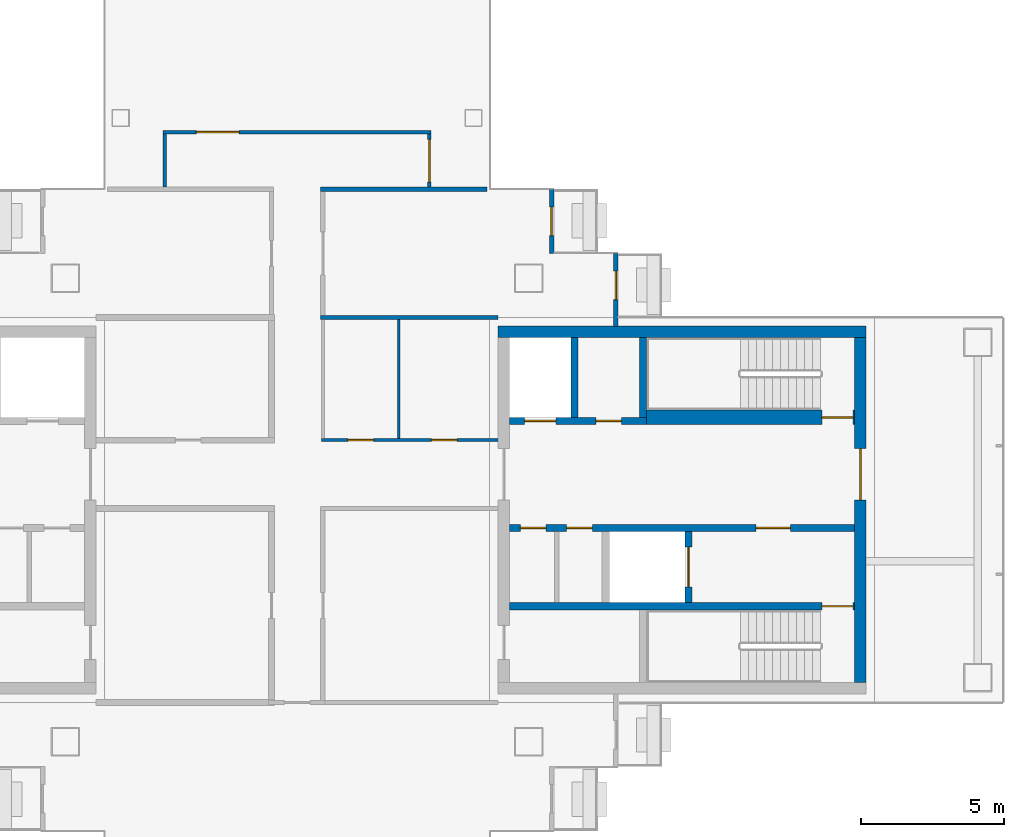
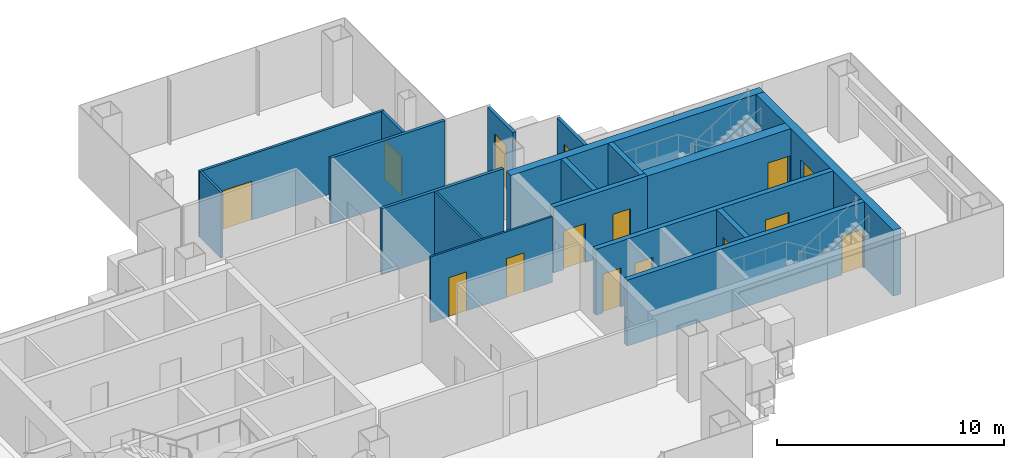
# One storey, part 12 of 17: 18 walls, 15 doors, 15 openings.
"""IFC4 building model written with IfcOpenShell, lengths in metres."""

from ifc_helpers import new_model, si_unit, direction, frame, frame_2d, origin, place, context, subcontext, project, spatial, rectangle, extrude, material, layer, layer_set, type_object, element, fill, save


model = new_model("IFC4")

# Units and contexts
model_context = context("Model", 3, precision=1e-05, world=origin(), true_north=direction((0.0, 1.0)))
body_context = subcontext(model_context, "Body", "Model", "MODEL_VIEW")
ifc_project = project(units=[si_unit("LENGTHUNIT", "METRE"), si_unit("AREAUNIT", "SQUARE_METRE"), si_unit("VOLUMEUNIT", "CUBIC_METRE"), si_unit("PLANEANGLEUNIT", "RADIAN"), si_unit("MASSUNIT", "GRAM", prefix="KILO")], contexts=[model_context])

# Site, building, storey
site_placement = place(None, origin())
site = spatial("IfcSite", under=ifc_project, at=site_placement, CompositionType="ELEMENT")
building_placement = place(site_placement, origin())
building = spatial("IfcBuilding", under=site, at=building_placement, Name="Shamsa Quay Exchange Towers", CompositionType="ELEMENT")
storey_placement = place(building_placement, frame((0.0, 0.0, 194.39990234375)))
storey = spatial("IfcBuildingStorey", under=building, at=storey_placement, Name="L46", CompositionType="ELEMENT", Elevation=194.39990234375)

# Wall, opening, door
ifc_material_1 = material(Name="Aluminium EN AW-6063 T6, black anodised, with black enamelled glass infill", Category="aluminium")
ifc_layer_1 = layer(ifc_material_1, 0.14990234375)
ifc_layer_set_1 = layer_set([ifc_layer_1], Name="BALCONY DOOR BAY WALL 150")
wall_type_1 = type_object("IfcWallType", Name="BALCONY DOOR BAY WALL 150", PredefinedType="SOLIDWALL", material=ifc_layer_set_1)
wall_1_placement = place(storey_placement, frame((42.675048828125, 11.25, 0.0), z_axis=(0.0, 0.0, 1.0), x_axis=(0.0, -1.0, 0.0)))
wall_1 = element("IfcWall", 1, at=wall_1_placement, inside=storey, type_object=wall_type_1, Name="Door bay T2-PKES L46", PredefinedType="SOLIDWALL", context=body_context, shape_type="SweptSolid", body=[
    extrude(rectangle(XDim=2.25, YDim=0.14990234375, at=frame_2d((1.125, 0.0))), origin(), (0.0, 0.0, 1.0), 3.4501953125),
])
opening_1_placement = place(wall_1_placement, frame((0.625, 0.0, 0.0)))
opening_1 = element("IfcOpeningElement", 2, at=opening_1_placement, cuts=wall_1, Name="Opening XD299", PredefinedType="OPENING", context=body_context, shape_type="SweptSolid", body=[
    extrude(rectangle(XDim=1.0, YDim=2.39990234375, at=frame_2d((0.5, 1.199951171875))), frame((0.0, 0.0849609375, 0.0), z_axis=(0.0, -1.0, 0.0), x_axis=(1.0, 0.0, 0.0)), (0.0, 0.0, 1.0), 0.169921875),
])
ifc_material_2 = material(Name="Aluminium EN AW-6063 T6, black anodised, with laminated glass leaf", Category="aluminium")
door_type_1 = type_object("IfcDoorType", Name="BALCONY DOOR 1000x2400", OperationType="SINGLE_SWING_LEFT", PredefinedType="DOOR", material=ifc_material_2)
door_1_placement = place(opening_1_placement, origin())
door_1 = element("IfcDoor", 3, at=door_1_placement, inside=storey, type_object=door_type_1, Name="Balcony door T2-PKES L46", OperationType="SINGLE_SWING_RIGHT", OverallHeight=2.39990234375, OverallWidth=1.0, PredefinedType="DOOR", context=body_context, shape_type="SweptSolid", body=[
    extrude(rectangle(XDim=1.0, YDim=2.39990234375, at=frame_2d((0.5, 1.199951171875))), frame((0.0, 0.02490234375, 0.0), z_axis=(0.0, -1.0, 0.0), x_axis=(1.0, 0.0, 0.0)), (0.0, 0.0, 1.0), 0.050048828125),
])
fill(opening_1, door_1)

wall_2_placement = place(storey_placement, frame((44.925048828125, 9.0, 0.0), z_axis=(0.0, 0.0, 1.0), x_axis=(0.0, -1.0, 0.0)))
wall_2 = element("IfcWall", 4, at=wall_2_placement, inside=storey, type_object=wall_type_1, Name="Door bay T2-PKES L46", PredefinedType="SOLIDWALL", context=body_context, shape_type="SweptSolid", body=[
    extrude(rectangle(XDim=2.556884765625, YDim=0.14990234375, at=frame_2d((1.2783203125, 0.0))), origin(), (0.0, 0.0, 1.0), 3.4501953125),
])
opening_2_placement = place(wall_2_placement, frame((0.625, 0.0, 0.0)))
opening_2 = element("IfcOpeningElement", 5, at=opening_2_placement, cuts=wall_2, Name="Opening XD300", PredefinedType="OPENING", context=body_context, shape_type="SweptSolid", body=[
    extrude(rectangle(XDim=1.0, YDim=2.39990234375, at=frame_2d((0.5, 1.199951171875))), frame((0.0, 0.0849609375, 0.0), z_axis=(0.0, -1.0, 0.0), x_axis=(1.0, 0.0, 0.0)), (0.0, 0.0, 1.0), 0.169921875),
])
door_2_placement = place(opening_2_placement, origin())
door_2 = element("IfcDoor", 6, at=door_2_placement, inside=storey, type_object=door_type_1, Name="Balcony door T2-PKES L46", OperationType="SINGLE_SWING_LEFT", OverallHeight=2.39990234375, OverallWidth=1.0, PredefinedType="DOOR", context=body_context, shape_type="SweptSolid", body=[
    extrude(rectangle(XDim=1.0, YDim=2.39990234375, at=frame_2d((0.5, 1.199951171875))), frame((0.0, 0.02490234375, 0.0), z_axis=(0.0, -1.0, 0.0), x_axis=(1.0, 0.0, 0.0)), (0.0, 0.0, 1.0), 0.050048828125),
])
fill(opening_2, door_2)

# Wall
ifc_material_3 = material(Name="Concrete C60/75", Category="concrete")
ifc_layer_2 = layer(ifc_material_3, 0.39990234375)
ifc_layer_set_2 = layer_set([ifc_layer_2], Name="CORE WALL 400 C60/75")
wall_type_2 = type_object("IfcWallType", Name="CORE WALL 400 C60/75", PredefinedType="SHEAR", material=ifc_layer_set_2)
wall_3_placement = place(storey_placement, frame((53.699951171875, 6.25, 0.0), z_axis=(0.0, 0.0, 1.0), x_axis=(-1.0, 0.0, 0.0)))
element("IfcWall", 7, at=wall_3_placement, inside=storey, type_object=wall_type_2, Name="Core wall T2B-R21-PN", PredefinedType="SHEAR", context=body_context, shape_type="SweptSolid", body=[
    extrude(rectangle(XDim=12.89990234375, YDim=0.39990234375, at=frame_2d((6.449951171875, 0.0))), origin(), (0.0, 0.0, 1.0), 3.550048828125),
])

# Wall, opening, door
wall_4_placement = place(storey_placement, frame((53.5, -6.050048828125, 0.0), z_axis=(0.0, 0.0, 1.0), x_axis=(0.0, 1.0, 0.0)))
wall_4 = element("IfcWall", 8, at=wall_4_placement, inside=storey, type_object=wall_type_2, Name="Core wall T2B-R21-PF", PredefinedType="SHEAR", context=body_context, shape_type="SweptSolid", body=[
    extrude(rectangle(XDim=12.10009765625, YDim=0.39990234375, at=frame_2d((6.050048828125, 0.0))), origin(), (0.0, 0.0, 1.0), 3.550048828125),
])
opening_3_placement = place(wall_4_placement, frame((6.39990234375, 0.0, 0.0)))
opening_3 = element("IfcOpeningElement", 9, at=opening_3_placement, cuts=wall_4, Name="Opening T2B-R21-LBD01", PredefinedType="OPENING", context=body_context, shape_type="SweptSolid", body=[
    extrude(rectangle(XDim=1.800048828125, YDim=2.39990234375, at=frame_2d((0.89990234375, 1.199951171875))), frame((0.0, 0.2099609375, 0.0), z_axis=(0.0, -1.0, 0.0), x_axis=(1.0, 0.0, 0.0)), (0.0, 0.0, 1.0), 0.419921875),
])
ifc_material_4 = material(Name="Steel, fire rated", Category="steel")
door_type_2 = type_object("IfcDoorType", Name="LIFT LOBBY DOOR PAIR 1800", OperationType="DOUBLE_DOOR_SINGLE_SWING", PredefinedType="DOOR", material=ifc_material_4)
door_3_placement = place(opening_3_placement, origin())
door_3 = element("IfcDoor", 10, at=door_3_placement, inside=storey, type_object=door_type_2, Name="T2B-R21-LBD01", OperationType="DOUBLE_DOOR_SINGLE_SWING", OverallHeight=2.39990234375, OverallWidth=1.800048828125, PredefinedType="DOOR", context=body_context, shape_type="SweptSolid", body=[
    extrude(rectangle(XDim=1.800048828125, YDim=2.39990234375, at=frame_2d((0.89990234375, 1.199951171875))), frame((0.0, 0.02490234375, 0.0), z_axis=(0.0, -1.0, 0.0), x_axis=(1.0, 0.0, 0.0)), (0.0, 0.0, 1.0), 0.050048828125),
])
fill(opening_3, door_3)

ifc_material_5 = material(Name="Laminated fire-resisting glass in a metal frame", Category="glass")
ifc_layer_3 = layer(ifc_material_5, 0.125)
ifc_layer_set_3 = layer_set([ifc_layer_3], Name="Glazed partition 125 mm EI 60")
wall_type_3 = type_object("IfcWallType", Name="Glazed partition 125 mm EI 60", PredefinedType="PARTITIONING", material=ifc_layer_set_3)
wall_5_placement = place(storey_placement, frame((38.3876953125, 11.324951171875, 0.0), z_axis=(0.0, 0.0, 1.0), x_axis=(0.0, 1.0, 0.0)))
wall_5 = element("IfcWall", 11, at=wall_5_placement, inside=storey, type_object=wall_type_3, Name="Partition T2-R21-W13", PredefinedType="PARTITIONING", context=body_context, shape_type="SweptSolid", body=[
    extrude(rectangle(XDim=1.862548828125, YDim=0.125, at=frame_2d((0.93115234375, 0.0))), origin(), (0.0, 0.0, 1.0), 3.550048828125),
])
opening_4_placement = place(wall_5_placement, frame((0.175048828125, 0.0, 0.0)))
opening_4 = element("IfcOpeningElement", 12, at=opening_4_placement, cuts=wall_5, Name="Opening T2-R21-D03", PredefinedType="OPENING", context=body_context, shape_type="SweptSolid", body=[
    extrude(rectangle(XDim=1.5, YDim=2.10009765625, at=frame_2d((0.75, 1.050048828125))), frame((0.0, 0.072509765625, 0.0), z_axis=(0.0, -1.0, 0.0), x_axis=(1.0, 0.0, 0.0)), (0.0, 0.0, 1.0), 0.14501953125),
])
ifc_material_6 = material(Name="Timber door leaf in a metal frame", Category="wood")
door_type_3 = type_object("IfcDoorType", Name="Door 1500x2100 FD30S pair", OperationType="NOTDEFINED", PredefinedType="DOOR", material=ifc_material_6)
door_4_placement = place(opening_4_placement, origin())
door_4 = element("IfcDoor", 13, at=door_4_placement, inside=storey, type_object=door_type_3, Name="Door T2-R21-D03", OperationType="DOUBLE_DOOR_SINGLE_SWING", OverallHeight=2.10009765625, OverallWidth=1.5, PredefinedType="DOOR", context=body_context, shape_type="SweptSolid", body=[
    extrude(rectangle(XDim=1.5, YDim=2.10009765625, at=frame_2d((0.75, 1.050048828125))), frame((0.0, 0.02490234375, 0.0), z_axis=(0.0, -1.0, 0.0), x_axis=(1.0, 0.0, 0.0)), (0.0, 0.0, 1.0), 0.050048828125),
])
fill(opening_4, door_4)

wall_6_placement = place(storey_placement, frame((38.4501953125, 13.25, 0.0), z_axis=(0.0, 0.0, 1.0), x_axis=(-1.0, 0.0, 0.0)))
wall_6 = element("IfcWall", 14, at=wall_6_placement, inside=storey, type_object=wall_type_3, Name="Partition T2-R21-W14", PredefinedType="PARTITIONING", context=body_context, shape_type="SweptSolid", body=[
    extrude(rectangle(XDim=9.400390625, YDim=0.125, at=frame_2d((4.7001953125, 0.0))), origin(), (0.0, 0.0, 1.0), 3.550048828125),
])
opening_5_placement = place(wall_6_placement, frame((6.73291015625, 0.0, 0.0)))
opening_5 = element("IfcOpeningElement", 15, at=opening_5_placement, cuts=wall_6, Name="Opening T2-R21-D10", PredefinedType="OPENING", context=body_context, shape_type="SweptSolid", body=[
    extrude(rectangle(XDim=1.5, YDim=2.10009765625, at=frame_2d((0.75, 1.050048828125))), frame((0.0, 0.072509765625, 0.0), z_axis=(0.0, -1.0, 0.0), x_axis=(1.0, 0.0, 0.0)), (0.0, 0.0, 1.0), 0.14501953125),
])
door_5_placement = place(opening_5_placement, origin())
door_5 = element("IfcDoor", 16, at=door_5_placement, inside=storey, type_object=door_type_3, Name="Door T2-R21-D10", OperationType="DOUBLE_DOOR_SINGLE_SWING", OverallHeight=2.10009765625, OverallWidth=1.5, PredefinedType="DOOR", context=body_context, shape_type="SweptSolid", body=[
    extrude(rectangle(XDim=1.5, YDim=2.10009765625, at=frame_2d((0.75, 1.050048828125))), frame((0.0, 0.02490234375, 0.0), z_axis=(0.0, -1.0, 0.0), x_axis=(1.0, 0.0, 0.0)), (0.0, 0.0, 1.0), 0.050048828125),
])
fill(opening_5, door_5)

# Wall
wall_7_placement = place(storey_placement, frame((29.1123046875, 13.1875, 0.0), z_axis=(0.0, 0.0, 1.0), x_axis=(0.0, -1.0, 0.0)))
element("IfcWall", 17, at=wall_7_placement, inside=storey, type_object=wall_type_3, Name="Partition T2-R21-W15", PredefinedType="PARTITIONING", context=body_context, shape_type="SweptSolid", body=[
    extrude(rectangle(XDim=1.862548828125, YDim=0.125, at=frame_2d((0.93115234375, 0.0))), origin(), (0.0, 0.0, 1.0), 3.550048828125),
])

# Wall, openings, doors
ifc_material_7 = material(Name="Gypsum board partition on metal studs")
ifc_layer_4 = layer(ifc_material_7, 0.10009765625)
ifc_layer_set_4 = layer_set([ifc_layer_4], Name="Partition 100 mm NOT RATED")
wall_type_4 = type_object("IfcWallType", Name="Partition 100 mm NOT RATED", PredefinedType="PARTITIONING", material=ifc_layer_set_4)
wall_8_placement = place(storey_placement, frame((34.600341796875, 2.4501953125, 0.0)))
wall_8 = element("IfcWall", 18, at=wall_8_placement, inside=storey, type_object=wall_type_4, Name="Partition T2-R21-W05", PredefinedType="PARTITIONING", context=body_context, shape_type="SweptSolid", body=[
    extrude(rectangle(XDim=6.19970703125, YDim=0.10009765625, at=frame_2d((3.099853515625, 0.0))), origin(), (0.0, 0.0, 1.0), 3.550048828125),
])
opening_6_placement = place(wall_8_placement, frame((3.85595703125, 0.0, 0.0)))
opening_6 = element("IfcOpeningElement", 19, at=opening_6_placement, cuts=wall_8, Name="Opening T2-R21-D01", PredefinedType="OPENING", context=body_context, shape_type="SweptSolid", body=[
    extrude(rectangle(XDim=0.89990234375, YDim=2.10009765625, at=frame_2d((0.449951171875, 1.050048828125))), frame((0.0, 0.06005859375, 0.0), z_axis=(0.0, -1.0, 0.0), x_axis=(1.0, 0.0, 0.0)), (0.0, 0.0, 1.0), 0.1201171875),
])
opening_7_placement = place(wall_8_placement, frame((0.93115234375, 0.0, 0.0)))
opening_7 = element("IfcOpeningElement", 20, at=opening_7_placement, cuts=wall_8, Name="Opening T2-R21-D02", PredefinedType="OPENING", context=body_context, shape_type="SweptSolid", body=[
    extrude(rectangle(XDim=0.89990234375, YDim=2.10009765625, at=frame_2d((0.449951171875, 1.050048828125))), frame((0.0, 0.06005859375, 0.0), z_axis=(0.0, -1.0, 0.0), x_axis=(1.0, 0.0, 0.0)), (0.0, 0.0, 1.0), 0.1201171875),
])
door_type_4 = type_object("IfcDoorType", Name="Door 900x2100 NOT RATED", OperationType="NOTDEFINED", PredefinedType="DOOR", material=ifc_material_6)
door_6_placement = place(opening_6_placement, origin())
door_6 = element("IfcDoor", 21, at=door_6_placement, inside=storey, type_object=door_type_4, Name="Door T2-R21-D01", OperationType="SINGLE_SWING_LEFT", OverallHeight=2.10009765625, OverallWidth=0.89990234375, PredefinedType="DOOR", context=body_context, shape_type="SweptSolid", body=[
    extrude(rectangle(XDim=0.89990234375, YDim=2.10009765625, at=frame_2d((0.449951171875, 1.050048828125))), frame((0.0, 0.02490234375, 0.0), z_axis=(0.0, -1.0, 0.0), x_axis=(1.0, 0.0, 0.0)), (0.0, 0.0, 1.0), 0.050048828125),
])
fill(opening_6, door_6)
door_7_placement = place(opening_7_placement, origin())
door_7 = element("IfcDoor", 22, at=door_7_placement, inside=storey, type_object=door_type_4, Name="Door T2-R21-D02", OperationType="SINGLE_SWING_RIGHT", OverallHeight=2.10009765625, OverallWidth=0.89990234375, PredefinedType="DOOR", context=body_context, shape_type="SweptSolid", body=[
    extrude(rectangle(XDim=0.89990234375, YDim=2.10009765625, at=frame_2d((0.449951171875, 1.050048828125))), frame((0.0, 0.02490234375, 0.0), z_axis=(0.0, -1.0, 0.0), x_axis=(1.0, 0.0, 0.0)), (0.0, 0.0, 1.0), 0.050048828125),
])
fill(opening_7, door_7)

# Walls
wall_9_placement = place(storey_placement, frame((37.3125, 6.675048828125, 0.0), z_axis=(0.0, 0.0, 1.0), x_axis=(0.0, -1.0, 0.0)))
element("IfcWall", 23, at=wall_9_placement, inside=storey, type_object=wall_type_4, Name="Partition T2-R21-W19", PredefinedType="PARTITIONING", context=body_context, shape_type="SweptSolid", body=[
    extrude(rectangle(XDim=4.1748046875, YDim=0.10009765625, at=frame_2d((2.08740234375, 0.0))), origin(), (0.0, 0.0, 1.0), 3.550048828125),
])
ifc_layer_5 = layer(ifc_material_7, 0.14990234375)
ifc_layer_set_5 = layer_set([ifc_layer_5], Name="Partition 150 mm EI 60")
wall_type_5 = type_object("IfcWallType", Name="Partition 150 mm EI 60", PredefinedType="PARTITIONING", material=ifc_layer_set_5)
wall_10_placement = place(storey_placement, frame((40.405029296875, 11.25, 0.0), z_axis=(0.0, 0.0, 1.0), x_axis=(-1.0, 0.0, 0.0)))
element("IfcWall", 24, at=wall_10_placement, inside=storey, type_object=wall_type_5, Name="Partition T2-R21-W11", PredefinedType="PARTITIONING", context=body_context, shape_type="SweptSolid", body=[
    extrude(rectangle(XDim=5.82958984375, YDim=0.14990234375, at=frame_2d((2.914794921875, 0.0))), origin(), (0.0, 0.0, 1.0), 3.550048828125),
])
wall_11_placement = place(storey_placement, frame((40.800048828125, 6.75, 0.0), z_axis=(0.0, 0.0, 1.0), x_axis=(-1.0, 0.0, 0.0)))
element("IfcWall", 25, at=wall_11_placement, inside=storey, type_object=wall_type_5, Name="Partition T2-R21-W20", PredefinedType="PARTITIONING", context=body_context, shape_type="SweptSolid", body=[
    extrude(rectangle(XDim=6.224609375, YDim=0.14990234375, at=frame_2d((3.1123046875, 0.0))), origin(), (0.0, 0.0, 1.0), 3.550048828125),
])

# Wall, opening, door
ifc_material_8 = material(Name="Concrete C50/60", Category="concrete")
ifc_layer_6 = layer(ifc_material_8, 0.25)
ifc_layer_set_6 = layer_set([ifc_layer_6], Name="SHAFT WALL 250 C50/60")
wall_type_6 = type_object("IfcWallType", Name="SHAFT WALL 250 C50/60", PredefinedType="SHEAR", material=ifc_layer_set_6)
wall_12_placement = place(storey_placement, frame((53.300048828125, -3.375, 0.0), z_axis=(0.0, 0.0, 1.0), x_axis=(-1.0, 0.0, 0.0)))
wall_12 = element("IfcWall", 26, at=wall_12_placement, inside=storey, type_object=wall_type_6, Name="Shaft wall T2B-R21-STL", PredefinedType="SHEAR", context=body_context, shape_type="SweptSolid", body=[
    extrude(rectangle(XDim=12.10009765625, YDim=0.25, at=frame_2d((6.050048828125, 0.0))), origin(), (0.0, 0.0, 1.0), 3.550048828125),
])
opening_8_placement = place(wall_12_placement, frame((0.050048828125, 0.0, 0.0)))
opening_8 = element("IfcOpeningElement", 27, at=opening_8_placement, cuts=wall_12, Name="Opening T2B-R21-SD04", PredefinedType="OPENING", context=body_context, shape_type="SweptSolid", body=[
    extrude(rectangle(XDim=1.10009765625, YDim=2.10009765625, at=frame_2d((0.550048828125, 1.050048828125))), frame((0.0, 0.135009765625, 0.0), z_axis=(0.0, -1.0, 0.0), x_axis=(1.0, 0.0, 0.0)), (0.0, 0.0, 1.0), 0.27001953125),
])
door_type_5 = type_object("IfcDoorType", Name="STAIR DOOR 1100", OperationType="SINGLE_SWING_LEFT", PredefinedType="DOOR", material=ifc_material_4)
door_8_placement = place(opening_8_placement, origin())
door_8 = element("IfcDoor", 28, at=door_8_placement, inside=storey, type_object=door_type_5, Name="T2B-R21-SD04", OperationType="SINGLE_SWING_LEFT", OverallHeight=2.10009765625, OverallWidth=1.10009765625, PredefinedType="DOOR", context=body_context, shape_type="SweptSolid", body=[
    extrude(rectangle(XDim=1.10009765625, YDim=2.10009765625, at=frame_2d((0.550048828125, 1.050048828125))), frame((0.0, 0.02490234375, 0.0), z_axis=(0.0, -1.0, 0.0), x_axis=(1.0, 0.0, 0.0)), (0.0, 0.0, 1.0), 0.050048828125),
])
fill(opening_8, door_8)

# Wall, openings, doors
wall_13_placement = place(storey_placement, frame((53.300048828125, -0.625, 0.0), z_axis=(0.0, 0.0, 1.0), x_axis=(-1.0, 0.0, 0.0)))
wall_13 = element("IfcWall", 29, at=wall_13_placement, inside=storey, type_object=wall_type_6, Name="Shaft wall T2B-R21-B", PredefinedType="SHEAR", context=body_context, shape_type="SweptSolid", body=[
    extrude(rectangle(XDim=12.10009765625, YDim=0.25, at=frame_2d((6.050048828125, 0.0))), origin(), (0.0, 0.0, 1.0), 3.550048828125),
])
opening_9_placement = place(wall_13_placement, frame((2.25, 0.0, 0.0)))
opening_9 = element("IfcOpeningElement", 30, at=opening_9_placement, cuts=wall_13, Name="Opening T2B-R21-FD05", PredefinedType="OPENING", context=body_context, shape_type="SweptSolid", body=[
    extrude(rectangle(XDim=1.199951171875, YDim=2.10009765625, at=frame_2d((0.60009765625, 1.050048828125))), frame((0.0, 0.135009765625, 0.0), z_axis=(0.0, -1.0, 0.0), x_axis=(1.0, 0.0, 0.0)), (0.0, 0.0, 1.0), 0.27001953125),
])
opening_10_placement = place(wall_13_placement, frame((9.199951171875, 0.0, 0.0)))
opening_10 = element("IfcOpeningElement", 31, at=opening_10_placement, cuts=wall_13, Name="Opening T2B-R21-SV06", PredefinedType="OPENING", context=body_context, shape_type="SweptSolid", body=[
    extrude(rectangle(XDim=0.89990234375, YDim=2.10009765625, at=frame_2d((0.449951171875, 1.050048828125))), frame((0.0, 0.135009765625, 0.0), z_axis=(0.0, -1.0, 0.0), x_axis=(1.0, 0.0, 0.0)), (0.0, 0.0, 1.0), 0.27001953125),
])
opening_11_placement = place(wall_13_placement, frame((10.824951171875, 0.0, 0.0)))
opening_11 = element("IfcOpeningElement", 32, at=opening_11_placement, cuts=wall_13, Name="Opening T2B-R21-SV07", PredefinedType="OPENING", context=body_context, shape_type="SweptSolid", body=[
    extrude(rectangle(XDim=0.89990234375, YDim=2.10009765625, at=frame_2d((0.449951171875, 1.050048828125))), frame((0.0, 0.135009765625, 0.0), z_axis=(0.0, -1.0, 0.0), x_axis=(1.0, 0.0, 0.0)), (0.0, 0.0, 1.0), 0.27001953125),
])
door_type_6 = type_object("IfcDoorType", Name="FIRE SERVICE LOBBY DOOR 1200", OperationType="SINGLE_SWING_LEFT", PredefinedType="DOOR", material=ifc_material_4)
door_9_placement = place(opening_9_placement, origin())
door_9 = element("IfcDoor", 33, at=door_9_placement, inside=storey, type_object=door_type_6, Name="T2B-R21-FD05", OperationType="SINGLE_SWING_LEFT", OverallHeight=2.10009765625, OverallWidth=1.199951171875, PredefinedType="DOOR", context=body_context, shape_type="SweptSolid", body=[
    extrude(rectangle(XDim=1.199951171875, YDim=2.10009765625, at=frame_2d((0.60009765625, 1.050048828125))), frame((0.0, 0.02490234375, 0.0), z_axis=(0.0, -1.0, 0.0), x_axis=(1.0, 0.0, 0.0)), (0.0, 0.0, 1.0), 0.050048828125),
])
fill(opening_9, door_9)
door_type_7 = type_object("IfcDoorType", Name="SERVICE ROOM DOOR 900", OperationType="SINGLE_SWING_LEFT", PredefinedType="DOOR", material=ifc_material_4)
door_10_placement = place(opening_10_placement, origin())
door_10 = element("IfcDoor", 34, at=door_10_placement, inside=storey, type_object=door_type_7, Name="T2B-R21-SV06", OperationType="SINGLE_SWING_RIGHT", OverallHeight=2.10009765625, OverallWidth=0.89990234375, PredefinedType="DOOR", context=body_context, shape_type="SweptSolid", body=[
    extrude(rectangle(XDim=0.89990234375, YDim=2.10009765625, at=frame_2d((0.449951171875, 1.050048828125))), frame((0.0, 0.02490234375, 0.0), z_axis=(0.0, -1.0, 0.0), x_axis=(1.0, 0.0, 0.0)), (0.0, 0.0, 1.0), 0.050048828125),
])
fill(opening_10, door_10)
door_11_placement = place(opening_11_placement, origin())
door_11 = element("IfcDoor", 35, at=door_11_placement, inside=storey, type_object=door_type_7, Name="T2B-R21-SV07", OperationType="SINGLE_SWING_RIGHT", OverallHeight=2.10009765625, OverallWidth=0.89990234375, PredefinedType="DOOR", context=body_context, shape_type="SweptSolid", body=[
    extrude(rectangle(XDim=0.89990234375, YDim=2.10009765625, at=frame_2d((0.449951171875, 1.050048828125))), frame((0.0, 0.02490234375, 0.0), z_axis=(0.0, -1.0, 0.0), x_axis=(1.0, 0.0, 0.0)), (0.0, 0.0, 1.0), 0.050048828125),
])
fill(opening_11, door_11)

# Wall, opening, door
wall_14_placement = place(storey_placement, frame((47.47509765625, -3.25, 0.0), z_axis=(0.0, 0.0, 1.0), x_axis=(0.0, 1.0, 0.0)))
wall_14 = element("IfcWall", 36, at=wall_14_placement, inside=storey, type_object=wall_type_6, Name="Shaft wall T2B-R21-FFF", PredefinedType="SHEAR", context=body_context, shape_type="SweptSolid", body=[
    extrude(rectangle(XDim=2.5, YDim=0.25, at=frame_2d((1.25, 0.0))), origin(), (0.0, 0.0, 1.0), 3.550048828125),
])
opening_12_placement = place(wall_14_placement, frame((0.550048828125, 0.0, 0.0)))
opening_12 = element("IfcOpeningElement", 37, at=opening_12_placement, cuts=wall_14, Name="Opening T2B-R21-LDG08", PredefinedType="OPENING", context=body_context, shape_type="SweptSolid", body=[
    extrude(rectangle(XDim=1.39990234375, YDim=2.39990234375, at=frame_2d((0.699951171875, 1.199951171875))), frame((0.0, 0.135009765625, 0.0), z_axis=(0.0, -1.0, 0.0), x_axis=(1.0, 0.0, 0.0)), (0.0, 0.0, 1.0), 0.27001953125),
])
door_type_8 = type_object("IfcDoorType", Name="GOODS LIFT LANDING DOOR 1400", OperationType="SLIDING_TO_LEFT", PredefinedType="DOOR", material=ifc_material_4)
door_12_placement = place(opening_12_placement, origin())
door_12 = element("IfcDoor", 38, at=door_12_placement, inside=storey, type_object=door_type_8, Name="T2B-R21-LDG08", OperationType="SLIDING_TO_LEFT", OverallHeight=2.39990234375, OverallWidth=1.39990234375, PredefinedType="DOOR", context=body_context, shape_type="SweptSolid", body=[
    extrude(rectangle(XDim=1.39990234375, YDim=2.39990234375, at=frame_2d((0.699951171875, 1.199951171875))), frame((0.0, 0.02490234375, 0.0), z_axis=(0.0, -1.0, 0.0), x_axis=(1.0, 0.0, 0.0)), (0.0, 0.0, 1.0), 0.050048828125),
])
fill(opening_12, door_12)

# Wall, openings, doors
wall_15_placement = place(storey_placement, frame((41.199951171875, 3.125, 0.0)))
wall_15 = element("IfcWall", 39, at=wall_15_placement, inside=storey, type_object=wall_type_6, Name="Shaft wall T2B-R21-N2", PredefinedType="SHEAR", context=body_context, shape_type="SweptSolid", body=[
    extrude(rectangle(XDim=4.800048828125, YDim=0.25, at=frame_2d((2.39990234375, 0.0))), origin(), (0.0, 0.0, 1.0), 3.550048828125),
])
opening_13_placement = place(wall_15_placement, frame((0.52490234375, 0.0, 0.0)))
opening_13 = element("IfcOpeningElement", 40, at=opening_13_placement, cuts=wall_15, Name="Opening T2B-R21-LD10", PredefinedType="OPENING", context=body_context, shape_type="SweptSolid", body=[
    extrude(rectangle(XDim=1.10009765625, YDim=2.10009765625, at=frame_2d((0.550048828125, 1.050048828125))), frame((0.0, 0.135009765625, 0.0), z_axis=(0.0, -1.0, 0.0), x_axis=(1.0, 0.0, 0.0)), (0.0, 0.0, 1.0), 0.27001953125),
])
opening_14_placement = place(wall_15_placement, frame((3.02490234375, 0.0, 0.0)))
opening_14 = element("IfcOpeningElement", 41, at=opening_14_placement, cuts=wall_15, Name="Opening T2B-R21-SV11", PredefinedType="OPENING", context=body_context, shape_type="SweptSolid", body=[
    extrude(rectangle(XDim=0.89990234375, YDim=2.10009765625, at=frame_2d((0.449951171875, 1.050048828125))), frame((0.0, 0.135009765625, 0.0), z_axis=(0.0, -1.0, 0.0), x_axis=(1.0, 0.0, 0.0)), (0.0, 0.0, 1.0), 0.27001953125),
])
door_type_9 = type_object("IfcDoorType", Name="LANDING DOOR 1100", OperationType="SLIDING_TO_LEFT", PredefinedType="DOOR", material=ifc_material_4)
door_13_placement = place(opening_13_placement, origin())
door_13 = element("IfcDoor", 42, at=door_13_placement, inside=storey, type_object=door_type_9, Name="T2B-R21-LD10", OperationType="SLIDING_TO_LEFT", OverallHeight=2.10009765625, OverallWidth=1.10009765625, PredefinedType="DOOR", context=body_context, shape_type="SweptSolid", body=[
    extrude(rectangle(XDim=1.10009765625, YDim=2.10009765625, at=frame_2d((0.550048828125, 1.050048828125))), frame((0.0, 0.02490234375, 0.0), z_axis=(0.0, -1.0, 0.0), x_axis=(1.0, 0.0, 0.0)), (0.0, 0.0, 1.0), 0.050048828125),
])
fill(opening_13, door_13)
door_14_placement = place(opening_14_placement, origin())
door_14 = element("IfcDoor", 43, at=door_14_placement, inside=storey, type_object=door_type_7, Name="T2B-R21-SV11", OperationType="SINGLE_SWING_RIGHT", OverallHeight=2.10009765625, OverallWidth=0.89990234375, PredefinedType="DOOR", context=body_context, shape_type="SweptSolid", body=[
    extrude(rectangle(XDim=0.89990234375, YDim=2.10009765625, at=frame_2d((0.449951171875, 1.050048828125))), frame((0.0, 0.02490234375, 0.0), z_axis=(0.0, -1.0, 0.0), x_axis=(1.0, 0.0, 0.0)), (0.0, 0.0, 1.0), 0.050048828125),
])
fill(opening_14, door_14)

# Walls
for number, where, z_axis, x_axis, name in (
    (44, (45.875, 3.25, 0.0), (0.0, 0.0, 1.0), (0.0, 1.0, 0.0), "Shaft wall T2B-R21-STF2"),
    (45, (43.47509765625, 3.25, 0.0), (0.0, 0.0, 1.0), (0.0, 1.0, 0.0), "Shaft wall T2B-R21-D0"),
):
    element("IfcWall", number, at=place(storey_placement, frame(where, z_axis=z_axis, x_axis=x_axis)), inside=storey, type_object=wall_type_6, Name=name, PredefinedType="SHEAR", context=body_context, shape_type="SweptSolid", body=[
        extrude(rectangle(XDim=2.800048828125, YDim=0.25, at=frame_2d((1.39990234375, 0.0))), origin(), (0.0, 0.0, 1.0), 3.550048828125),
    ])

# Wall, opening, door
ifc_layer_7 = layer(ifc_material_8, 0.5)
ifc_layer_set_7 = layer_set([ifc_layer_7], Name="SHAFT WALL 500 C50/60")
wall_type_7 = type_object("IfcWallType", Name="SHAFT WALL 500 C50/60", PredefinedType="SHEAR", material=ifc_layer_set_7)
wall_16_placement = place(storey_placement, frame((46.0, 3.25, 0.0)))
wall_16 = element("IfcWall", 46, at=wall_16_placement, inside=storey, type_object=wall_type_7, Name="Shaft wall T2B-R21-N", PredefinedType="SHEAR", context=body_context, shape_type="SweptSolid", body=[
    extrude(rectangle(XDim=7.300048828125, YDim=0.5, at=frame_2d((3.64990234375, 0.0))), origin(), (0.0, 0.0, 1.0), 3.550048828125),
])
opening_15_placement = place(wall_16_placement, frame((6.14990234375, 0.0, 0.0)))
opening_15 = element("IfcOpeningElement", 47, at=opening_15_placement, cuts=wall_16, Name="Opening T2B-R21-SD09", PredefinedType="OPENING", context=body_context, shape_type="SweptSolid", body=[
    extrude(rectangle(XDim=1.10009765625, YDim=2.10009765625, at=frame_2d((0.550048828125, 1.050048828125))), frame((0.0, 0.260009765625, 0.0), z_axis=(0.0, -1.0, 0.0), x_axis=(1.0, 0.0, 0.0)), (0.0, 0.0, 1.0), 0.52001953125),
])
door_15_placement = place(opening_15_placement, origin())
door_15 = element("IfcDoor", 48, at=door_15_placement, inside=storey, type_object=door_type_5, Name="T2B-R21-SD09", OperationType="SINGLE_SWING_RIGHT", OverallHeight=2.10009765625, OverallWidth=1.10009765625, PredefinedType="DOOR", context=body_context, shape_type="SweptSolid", body=[
    extrude(rectangle(XDim=1.10009765625, YDim=2.10009765625, at=frame_2d((0.550048828125, 1.050048828125))), frame((0.0, 0.02490234375, 0.0), z_axis=(0.0, -1.0, 0.0), x_axis=(1.0, 0.0, 0.0)), (0.0, 0.0, 1.0), 0.050048828125),
])
fill(opening_15, door_15)

save(model, "model.ifc")
